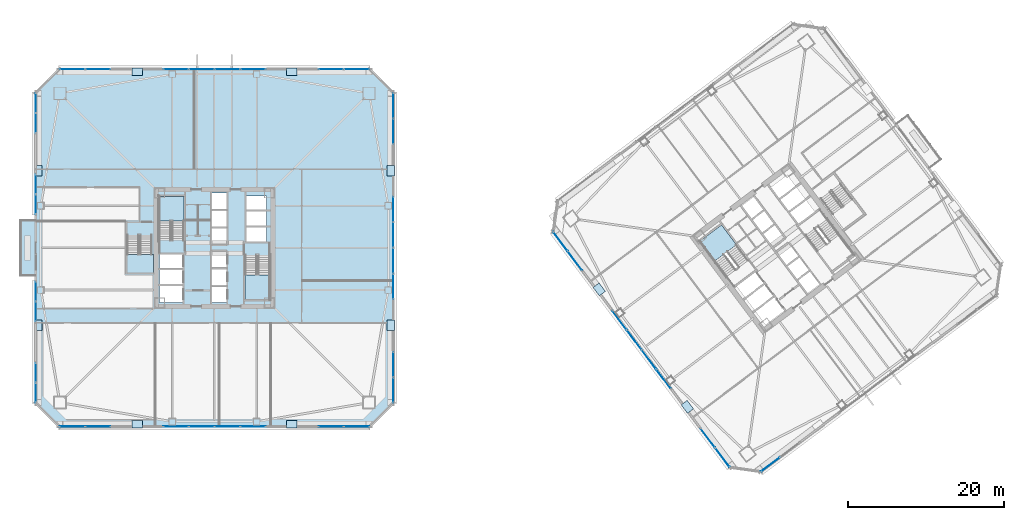
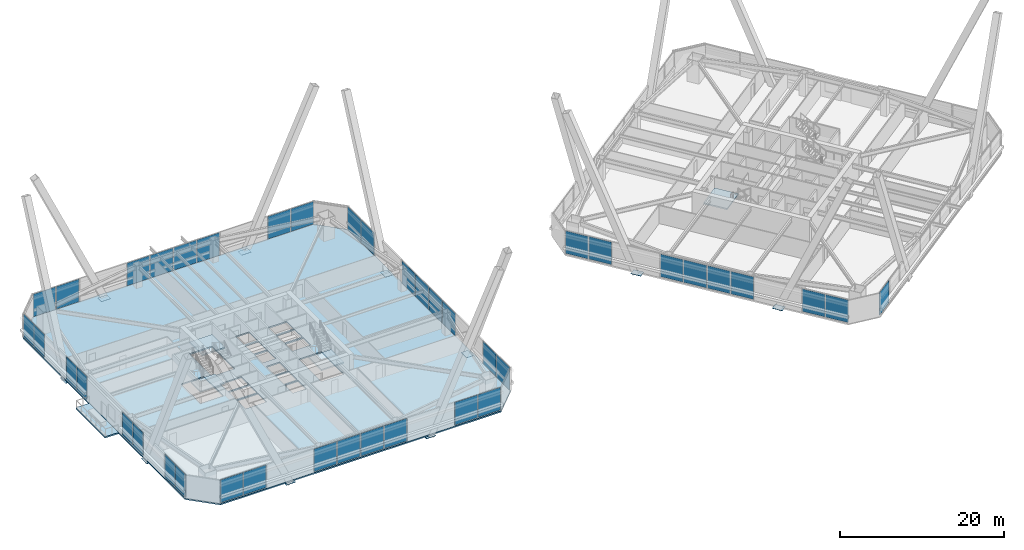
# One storey, part 60 of 75: 51 plates, 6 slabs, 21 elements without a shape of their own.
"""IFC4 building model written with IfcOpenShell, lengths in metres."""

from ifc_helpers import new_model, si_unit, direction, frame, origin, origin_2d, place, context, subcontext, project, spatial, polyline, rectangle, outline, extrude, material, layer, layer_set, type_object, element, aggregate, save


model = new_model("IFC4")

# Units and contexts
model_context = context("Model", 3, precision=1e-05, world=origin(), true_north=direction((0.0, 1.0)))
body_context = subcontext(model_context, "Body", "Model", "MODEL_VIEW")
ifc_project = project(units=[si_unit("LENGTHUNIT", "METRE"), si_unit("AREAUNIT", "SQUARE_METRE"), si_unit("VOLUMEUNIT", "CUBIC_METRE"), si_unit("PLANEANGLEUNIT", "RADIAN"), si_unit("MASSUNIT", "GRAM", prefix="KILO")], contexts=[model_context])

# Site, building, storey
site_placement = place(None, origin())
site = spatial("IfcSite", under=ifc_project, at=site_placement, CompositionType="ELEMENT")
building_placement = place(site_placement, origin())
building = spatial("IfcBuilding", under=site, at=building_placement, Name="Tashvorn Skyway Center", CompositionType="ELEMENT")
storey_placement = place(building_placement, frame((0.0, 0.0, 45.89990234375)))
storey = spatial("IfcBuildingStorey", under=building, at=storey_placement, Name="L11", CompositionType="ELEMENT", Elevation=45.89990234375)

# Curtain wall, plates
ifc_material_1 = material(Name="Thermally broken bronze-anodized aluminium 6063-T6", Category="aluminium")
curtain_wall_type = type_object("IfcCurtainWallType", Name="CW-CW-Z1", PredefinedType="NOTDEFINED", material=ifc_material_1)
curtain_wall_1_placement = place(storey_placement, origin())
curtain_wall_1 = element("IfcCurtainWall", 1, at=curtain_wall_1_placement, inside=storey, type_object=curtain_wall_type, Name="Tower 1 L11 South Unitised Curtain Wall Glazing Group 1", PredefinedType="NOTDEFINED")
ifc_material_2 = material(Name="Low-E solar-control double insulating safety glass", Category="glass")
ifc_layer_1 = layer(ifc_material_2, 0.048095703125)
ifc_layer_set_1 = layer_set([ifc_layer_1], Name="Low-E solar-control double insulating safety glass")
plate_type_1 = type_object("IfcPlateType", Name="CWP-CW-Z1", PredefinedType="CURTAIN_PANEL", material=ifc_layer_set_1)
plate_1_placement = place(storey_placement, frame((60.2021484375, 9.1201171875, 0.085205078125), z_axis=(0.0, 0.0, 1.0), x_axis=(-1.0, 0.0, 0.0)))
plate_1 = element("IfcPlate", 2, at=plate_1_placement, type_object=plate_type_1, Name="CW-Z1 panel 1.1", PredefinedType="CURTAIN_PANEL", context=body_context, shape_type="SweptSolid", body=[
    extrude(rectangle(XDim=3.185791015625, YDim=0.048095703125, at=origin_2d()), origin(), (0.0, 0.0, 1.0), 3.3798828125),
])
plate_2_placement = place(storey_placement, frame((56.93115234375, 9.1201171875, 0.085205078125), z_axis=(0.0, 0.0, 1.0), x_axis=(-1.0, 0.0, 0.0)))
plate_2 = element("IfcPlate", 3, at=plate_2_placement, type_object=plate_type_1, Name="CW-Z1 panel 2.1", PredefinedType="CURTAIN_PANEL", context=body_context, shape_type="SweptSolid", body=[
    extrude(rectangle(XDim=3.185791015625, YDim=0.048095703125, at=origin_2d()), origin(), (0.0, 0.0, 1.0), 3.3798828125),
])
aggregate(curtain_wall_1, [plate_1, plate_2])

curtain_wall_2_placement = place(storey_placement, origin())
curtain_wall_2 = element("IfcCurtainWall", 4, at=curtain_wall_2_placement, inside=storey, type_object=curtain_wall_type, Name="Tower 1 L11 South Unitised Curtain Wall Glazing Group 2", PredefinedType="NOTDEFINED")
plate_3_placement = place(storey_placement, frame((46.94873046875, 9.1201171875, 0.085205078125), z_axis=(0.0, 0.0, 1.0), x_axis=(-1.0, 0.0, 0.0)))
plate_3 = element("IfcPlate", 5, at=plate_3_placement, type_object=plate_type_1, Name="CW-Z1 panel 1.1", PredefinedType="CURTAIN_PANEL", context=body_context, shape_type="SweptSolid", body=[
    extrude(rectangle(XDim=3.185791015625, YDim=0.048095703125, at=origin_2d()), origin(), (0.0, 0.0, 1.0), 3.3798828125),
])
plate_4_placement = place(storey_placement, frame((43.65673828125, 9.1201171875, 0.085205078125), z_axis=(0.0, 0.0, 1.0), x_axis=(-1.0, 0.0, 0.0)))
plate_4 = element("IfcPlate", 6, at=plate_4_placement, type_object=plate_type_1, Name="CW-Z1 panel 2.1", PredefinedType="CURTAIN_PANEL", context=body_context, shape_type="SweptSolid", body=[
    extrude(rectangle(XDim=3.228271484375, YDim=0.048095703125, at=origin_2d()), origin(), (0.0, 0.0, 1.0), 3.3798828125),
])
plate_5_placement = place(storey_placement, frame((40.34326171875, 9.1201171875, 0.085205078125), z_axis=(0.0, 0.0, 1.0), x_axis=(-1.0, 0.0, 0.0)))
plate_5 = element("IfcPlate", 7, at=plate_5_placement, type_object=plate_type_1, Name="CW-Z1 panel 3.1", PredefinedType="CURTAIN_PANEL", context=body_context, shape_type="SweptSolid", body=[
    extrude(rectangle(XDim=3.228271484375, YDim=0.048095703125, at=origin_2d()), origin(), (0.0, 0.0, 1.0), 3.3798828125),
])
plate_6_placement = place(storey_placement, frame((37.05126953125, 9.1201171875, 0.085205078125), z_axis=(0.0, 0.0, 1.0), x_axis=(-1.0, 0.0, 0.0)))
plate_6 = element("IfcPlate", 8, at=plate_6_placement, type_object=plate_type_1, Name="CW-Z1 panel 4.1", PredefinedType="CURTAIN_PANEL", context=body_context, shape_type="SweptSolid", body=[
    extrude(rectangle(XDim=3.185791015625, YDim=0.048095703125, at=origin_2d()), origin(), (0.0, 0.0, 1.0), 3.3798828125),
])
aggregate(curtain_wall_2, [plate_3, plate_4, plate_5, plate_6])

curtain_wall_3_placement = place(storey_placement, origin())
curtain_wall_3 = element("IfcCurtainWall", 9, at=curtain_wall_3_placement, inside=storey, type_object=curtain_wall_type, Name="Tower 1 L11 South Unitised Curtain Wall Glazing Group 3", PredefinedType="NOTDEFINED")
plate_7_placement = place(storey_placement, frame((27.06884765625, 9.1201171875, 0.085205078125), z_axis=(0.0, 0.0, 1.0), x_axis=(-1.0, 0.0, 0.0)))
plate_7 = element("IfcPlate", 10, at=plate_7_placement, type_object=plate_type_1, Name="CW-Z1 panel 1.1", PredefinedType="CURTAIN_PANEL", context=body_context, shape_type="SweptSolid", body=[
    extrude(rectangle(XDim=3.185791015625, YDim=0.048095703125, at=origin_2d()), origin(), (0.0, 0.0, 1.0), 3.3798828125),
])
plate_8_placement = place(storey_placement, frame((23.7978515625, 9.1201171875, 0.085205078125), z_axis=(0.0, 0.0, 1.0), x_axis=(-1.0, 0.0, 0.0)))
plate_8 = element("IfcPlate", 11, at=plate_8_placement, type_object=plate_type_1, Name="CW-Z1 panel 2.1", PredefinedType="CURTAIN_PANEL", context=body_context, shape_type="SweptSolid", body=[
    extrude(rectangle(XDim=3.185791015625, YDim=0.048095703125, at=origin_2d()), origin(), (0.0, 0.0, 1.0), 3.3798828125),
])
aggregate(curtain_wall_3, [plate_7, plate_8])

curtain_wall_4_placement = place(storey_placement, origin())
curtain_wall_4 = element("IfcCurtainWall", 12, at=curtain_wall_4_placement, inside=storey, type_object=curtain_wall_type, Name="Tower 1 L11 West Curtain Wall L Glazing Group 1", PredefinedType="NOTDEFINED")
plate_9_placement = place(storey_placement, frame((19.1201171875, 13.44384765625, 0.085205078125), z_axis=(0.0, 0.0, 1.0), x_axis=(0.0, 1.0, 0.0)))
plate_9 = element("IfcPlate", 13, at=plate_9_placement, type_object=plate_type_1, Name="CW-Z1 panel 1.1", PredefinedType="CURTAIN_PANEL", context=body_context, shape_type="SweptSolid", body=[
    extrude(rectangle(XDim=2.4775390625, YDim=0.048095703125, at=origin_2d()), origin(), (0.0, 0.0, 1.0), 3.3798828125),
])
plate_10_placement = place(storey_placement, frame((19.1201171875, 16.00634765625, 0.085205078125), z_axis=(0.0, 0.0, 1.0), x_axis=(0.0, 1.0, 0.0)))
plate_10 = element("IfcPlate", 14, at=plate_10_placement, type_object=plate_type_1, Name="CW-Z1 panel 2.1", PredefinedType="CURTAIN_PANEL", context=body_context, shape_type="SweptSolid", body=[
    extrude(rectangle(XDim=2.4775390625, YDim=0.048095703125, at=origin_2d()), origin(), (0.0, 0.0, 1.0), 3.3798828125),
])
aggregate(curtain_wall_4, [plate_9, plate_10])

curtain_wall_5_placement = place(storey_placement, origin())
curtain_wall_5 = element("IfcCurtainWall", 15, at=curtain_wall_5_placement, inside=storey, type_object=curtain_wall_type, Name="Tower 1 L11 West Curtain Wall L Glazing Group 2", PredefinedType="NOTDEFINED")
plate_11_placement = place(storey_placement, frame((19.1201171875, 23.86376953125, 0.085205078125), z_axis=(0.0, 0.0, 1.0), x_axis=(0.0, 1.0, 0.0)))
plate_11 = element("IfcPlate", 16, at=plate_11_placement, type_object=plate_type_1, Name="CW-Z1 panel 1.1", PredefinedType="CURTAIN_PANEL", context=body_context, shape_type="SweptSolid", body=[
    extrude(rectangle(XDim=2.4775390625, YDim=0.048095703125, at=origin_2d()), origin(), (0.0, 0.0, 1.0), 3.3798828125),
])
plate_12_placement = place(storey_placement, frame((19.1201171875, 26.42626953125, 0.085205078125), z_axis=(0.0, 0.0, 1.0), x_axis=(0.0, 1.0, 0.0)))
plate_12 = element("IfcPlate", 17, at=plate_12_placement, type_object=plate_type_1, Name="CW-Z1 panel 2.1", PredefinedType="CURTAIN_PANEL", context=body_context, shape_type="SweptSolid", body=[
    extrude(rectangle(XDim=2.4775390625, YDim=0.048095703125, at=origin_2d()), origin(), (0.0, 0.0, 1.0), 3.3798828125),
])
aggregate(curtain_wall_5, [plate_11, plate_12])

curtain_wall_6_placement = place(storey_placement, origin())
curtain_wall_6 = element("IfcCurtainWall", 18, at=curtain_wall_6_placement, inside=storey, type_object=curtain_wall_type, Name="Tower 1 L11 West Curtain Wall R Glazing Group 1", PredefinedType="NOTDEFINED")
plate_13_placement = place(storey_placement, frame((19.1201171875, 37.57373046875, 0.085205078125), z_axis=(0.0, 0.0, 1.0), x_axis=(0.0, 1.0, 0.0)))
plate_13 = element("IfcPlate", 19, at=plate_13_placement, type_object=plate_type_1, Name="CW-Z1 panel 1.1", PredefinedType="CURTAIN_PANEL", context=body_context, shape_type="SweptSolid", body=[
    extrude(rectangle(XDim=2.4775390625, YDim=0.048095703125, at=origin_2d()), origin(), (0.0, 0.0, 1.0), 3.3798828125),
])
plate_14_placement = place(storey_placement, frame((19.1201171875, 40.13623046875, 0.085205078125), z_axis=(0.0, 0.0, 1.0), x_axis=(0.0, 1.0, 0.0)))
plate_14 = element("IfcPlate", 20, at=plate_14_placement, type_object=plate_type_1, Name="CW-Z1 panel 2.1", PredefinedType="CURTAIN_PANEL", context=body_context, shape_type="SweptSolid", body=[
    extrude(rectangle(XDim=2.4775390625, YDim=0.048095703125, at=origin_2d()), origin(), (0.0, 0.0, 1.0), 3.3798828125),
])
aggregate(curtain_wall_6, [plate_13, plate_14])

curtain_wall_7_placement = place(storey_placement, origin())
curtain_wall_7 = element("IfcCurtainWall", 21, at=curtain_wall_7_placement, inside=storey, type_object=curtain_wall_type, Name="Tower 1 L11 West Curtain Wall R Glazing Group 2", PredefinedType="NOTDEFINED")
plate_15_placement = place(storey_placement, frame((19.1201171875, 47.99365234375, 0.085205078125), z_axis=(0.0, 0.0, 1.0), x_axis=(0.0, 1.0, 0.0)))
plate_15 = element("IfcPlate", 22, at=plate_15_placement, type_object=plate_type_1, Name="CW-Z1 panel 1.1", PredefinedType="CURTAIN_PANEL", context=body_context, shape_type="SweptSolid", body=[
    extrude(rectangle(XDim=2.4775390625, YDim=0.048095703125, at=origin_2d()), origin(), (0.0, 0.0, 1.0), 3.3798828125),
])
plate_16_placement = place(storey_placement, frame((19.1201171875, 50.55615234375, 0.085205078125), z_axis=(0.0, 0.0, 1.0), x_axis=(0.0, 1.0, 0.0)))
plate_16 = element("IfcPlate", 23, at=plate_16_placement, type_object=plate_type_1, Name="CW-Z1 panel 2.1", PredefinedType="CURTAIN_PANEL", context=body_context, shape_type="SweptSolid", body=[
    extrude(rectangle(XDim=2.4775390625, YDim=0.048095703125, at=origin_2d()), origin(), (0.0, 0.0, 1.0), 3.3798828125),
])
aggregate(curtain_wall_7, [plate_15, plate_16])

curtain_wall_8_placement = place(storey_placement, origin())
curtain_wall_8 = element("IfcCurtainWall", 24, at=curtain_wall_8_placement, inside=storey, type_object=curtain_wall_type, Name="Tower 1 L11 North Unitised Curtain Wall Glazing Group 1", PredefinedType="NOTDEFINED")
plate_17_placement = place(storey_placement, frame((23.7978515625, 54.8798828125, 0.085205078125), z_axis=(0.0, 0.0, 1.0), x_axis=(1.0, 0.0, 0.0)))
plate_17 = element("IfcPlate", 25, at=plate_17_placement, type_object=plate_type_1, Name="CW-Z1 panel 1.1", PredefinedType="CURTAIN_PANEL", context=body_context, shape_type="SweptSolid", body=[
    extrude(rectangle(XDim=3.185791015625, YDim=0.048095703125, at=origin_2d()), origin(), (0.0, 0.0, 1.0), 3.3798828125),
])
plate_18_placement = place(storey_placement, frame((27.06884765625, 54.8798828125, 0.085205078125), z_axis=(0.0, 0.0, 1.0), x_axis=(1.0, 0.0, 0.0)))
plate_18 = element("IfcPlate", 26, at=plate_18_placement, type_object=plate_type_1, Name="CW-Z1 panel 2.1", PredefinedType="CURTAIN_PANEL", context=body_context, shape_type="SweptSolid", body=[
    extrude(rectangle(XDim=3.185791015625, YDim=0.048095703125, at=origin_2d()), origin(), (0.0, 0.0, 1.0), 3.3798828125),
])
aggregate(curtain_wall_8, [plate_17, plate_18])

curtain_wall_9_placement = place(storey_placement, origin())
curtain_wall_9 = element("IfcCurtainWall", 27, at=curtain_wall_9_placement, inside=storey, type_object=curtain_wall_type, Name="Tower 1 L11 North Unitised Curtain Wall Glazing Group 2", PredefinedType="NOTDEFINED")
plate_19_placement = place(storey_placement, frame((37.05126953125, 54.8798828125, 0.085205078125), z_axis=(0.0, 0.0, 1.0), x_axis=(1.0, 0.0, 0.0)))
plate_19 = element("IfcPlate", 28, at=plate_19_placement, type_object=plate_type_1, Name="CW-Z1 panel 1.1", PredefinedType="CURTAIN_PANEL", context=body_context, shape_type="SweptSolid", body=[
    extrude(rectangle(XDim=3.185791015625, YDim=0.048095703125, at=origin_2d()), origin(), (0.0, 0.0, 1.0), 3.3798828125),
])
plate_20_placement = place(storey_placement, frame((40.34326171875, 54.8798828125, 0.085205078125), z_axis=(0.0, 0.0, 1.0), x_axis=(1.0, 0.0, 0.0)))
plate_20 = element("IfcPlate", 29, at=plate_20_placement, type_object=plate_type_1, Name="CW-Z1 panel 2.1", PredefinedType="CURTAIN_PANEL", context=body_context, shape_type="SweptSolid", body=[
    extrude(rectangle(XDim=3.228271484375, YDim=0.048095703125, at=origin_2d()), origin(), (0.0, 0.0, 1.0), 3.3798828125),
])
plate_21_placement = place(storey_placement, frame((43.65673828125, 54.8798828125, 0.085205078125), z_axis=(0.0, 0.0, 1.0), x_axis=(1.0, 0.0, 0.0)))
plate_21 = element("IfcPlate", 30, at=plate_21_placement, type_object=plate_type_1, Name="CW-Z1 panel 3.1", PredefinedType="CURTAIN_PANEL", context=body_context, shape_type="SweptSolid", body=[
    extrude(rectangle(XDim=3.228271484375, YDim=0.048095703125, at=origin_2d()), origin(), (0.0, 0.0, 1.0), 3.3798828125),
])
plate_22_placement = place(storey_placement, frame((46.94873046875, 54.8798828125, 0.085205078125), z_axis=(0.0, 0.0, 1.0), x_axis=(1.0, 0.0, 0.0)))
plate_22 = element("IfcPlate", 31, at=plate_22_placement, type_object=plate_type_1, Name="CW-Z1 panel 4.1", PredefinedType="CURTAIN_PANEL", context=body_context, shape_type="SweptSolid", body=[
    extrude(rectangle(XDim=3.185791015625, YDim=0.048095703125, at=origin_2d()), origin(), (0.0, 0.0, 1.0), 3.3798828125),
])
aggregate(curtain_wall_9, [plate_19, plate_20, plate_21, plate_22])

curtain_wall_10_placement = place(storey_placement, origin())
curtain_wall_10 = element("IfcCurtainWall", 32, at=curtain_wall_10_placement, inside=storey, type_object=curtain_wall_type, Name="Tower 1 L11 North Unitised Curtain Wall Glazing Group 3", PredefinedType="NOTDEFINED")
plate_23_placement = place(storey_placement, frame((56.93115234375, 54.8798828125, 0.085205078125), z_axis=(0.0, 0.0, 1.0), x_axis=(1.0, 0.0, 0.0)))
plate_23 = element("IfcPlate", 33, at=plate_23_placement, type_object=plate_type_1, Name="CW-Z1 panel 1.1", PredefinedType="CURTAIN_PANEL", context=body_context, shape_type="SweptSolid", body=[
    extrude(rectangle(XDim=3.185791015625, YDim=0.048095703125, at=origin_2d()), origin(), (0.0, 0.0, 1.0), 3.3798828125),
])
plate_24_placement = place(storey_placement, frame((60.2021484375, 54.8798828125, 0.085205078125), z_axis=(0.0, 0.0, 1.0), x_axis=(1.0, 0.0, 0.0)))
plate_24 = element("IfcPlate", 34, at=plate_24_placement, type_object=plate_type_1, Name="CW-Z1 panel 2.1", PredefinedType="CURTAIN_PANEL", context=body_context, shape_type="SweptSolid", body=[
    extrude(rectangle(XDim=3.185791015625, YDim=0.048095703125, at=origin_2d()), origin(), (0.0, 0.0, 1.0), 3.3798828125),
])
aggregate(curtain_wall_10, [plate_23, plate_24])

curtain_wall_11_placement = place(storey_placement, origin())
curtain_wall_11 = element("IfcCurtainWall", 35, at=curtain_wall_11_placement, inside=storey, type_object=curtain_wall_type, Name="Tower 1 L11 East Unitised Curtain Wall Glazing Group 1", PredefinedType="NOTDEFINED")
plate_25_placement = place(storey_placement, frame((64.8798828125, 50.2021484375, 0.085205078125), z_axis=(0.0, 0.0, 1.0), x_axis=(0.0, -1.0, 0.0)))
plate_25 = element("IfcPlate", 36, at=plate_25_placement, type_object=plate_type_1, Name="CW-Z1 panel 1.1", PredefinedType="CURTAIN_PANEL", context=body_context, shape_type="SweptSolid", body=[
    extrude(rectangle(XDim=3.185791015625, YDim=0.048095703125, at=origin_2d()), origin(), (0.0, 0.0, 1.0), 3.3798828125),
])
plate_26_placement = place(storey_placement, frame((64.8798828125, 46.93115234375, 0.085205078125), z_axis=(0.0, 0.0, 1.0), x_axis=(0.0, -1.0, 0.0)))
plate_26 = element("IfcPlate", 37, at=plate_26_placement, type_object=plate_type_1, Name="CW-Z1 panel 2.1", PredefinedType="CURTAIN_PANEL", context=body_context, shape_type="SweptSolid", body=[
    extrude(rectangle(XDim=3.185791015625, YDim=0.048095703125, at=origin_2d()), origin(), (0.0, 0.0, 1.0), 3.3798828125),
])
aggregate(curtain_wall_11, [plate_25, plate_26])

curtain_wall_12_placement = place(storey_placement, origin())
curtain_wall_12 = element("IfcCurtainWall", 38, at=curtain_wall_12_placement, inside=storey, type_object=curtain_wall_type, Name="Tower 1 L11 East Unitised Curtain Wall Glazing Group 2", PredefinedType="NOTDEFINED")
plate_27_placement = place(storey_placement, frame((64.8798828125, 36.94873046875, 0.085205078125), z_axis=(0.0, 0.0, 1.0), x_axis=(0.0, -1.0, 0.0)))
plate_27 = element("IfcPlate", 39, at=plate_27_placement, type_object=plate_type_1, Name="CW-Z1 panel 1.1", PredefinedType="CURTAIN_PANEL", context=body_context, shape_type="SweptSolid", body=[
    extrude(rectangle(XDim=3.185791015625, YDim=0.048095703125, at=origin_2d()), origin(), (0.0, 0.0, 1.0), 3.3798828125),
])
plate_28_placement = place(storey_placement, frame((64.8798828125, 33.65673828125, 0.085205078125), z_axis=(0.0, 0.0, 1.0), x_axis=(0.0, -1.0, 0.0)))
plate_28 = element("IfcPlate", 40, at=plate_28_placement, type_object=plate_type_1, Name="CW-Z1 panel 2.1", PredefinedType="CURTAIN_PANEL", context=body_context, shape_type="SweptSolid", body=[
    extrude(rectangle(XDim=3.228271484375, YDim=0.048095703125, at=origin_2d()), origin(), (0.0, 0.0, 1.0), 3.3798828125),
])
plate_29_placement = place(storey_placement, frame((64.8798828125, 30.34326171875, 0.085205078125), z_axis=(0.0, 0.0, 1.0), x_axis=(0.0, -1.0, 0.0)))
plate_29 = element("IfcPlate", 41, at=plate_29_placement, type_object=plate_type_1, Name="CW-Z1 panel 3.1", PredefinedType="CURTAIN_PANEL", context=body_context, shape_type="SweptSolid", body=[
    extrude(rectangle(XDim=3.228271484375, YDim=0.048095703125, at=origin_2d()), origin(), (0.0, 0.0, 1.0), 3.3798828125),
])
plate_30_placement = place(storey_placement, frame((64.8798828125, 27.05126953125, 0.085205078125), z_axis=(0.0, 0.0, 1.0), x_axis=(0.0, -1.0, 0.0)))
plate_30 = element("IfcPlate", 42, at=plate_30_placement, type_object=plate_type_1, Name="CW-Z1 panel 4.1", PredefinedType="CURTAIN_PANEL", context=body_context, shape_type="SweptSolid", body=[
    extrude(rectangle(XDim=3.185791015625, YDim=0.048095703125, at=origin_2d()), origin(), (0.0, 0.0, 1.0), 3.3798828125),
])
aggregate(curtain_wall_12, [plate_27, plate_28, plate_29, plate_30])

curtain_wall_13_placement = place(storey_placement, origin())
curtain_wall_13 = element("IfcCurtainWall", 43, at=curtain_wall_13_placement, inside=storey, type_object=curtain_wall_type, Name="Tower 1 L11 East Unitised Curtain Wall Glazing Group 3", PredefinedType="NOTDEFINED")
plate_31_placement = place(storey_placement, frame((64.8798828125, 17.06884765625, 0.085205078125), z_axis=(0.0, 0.0, 1.0), x_axis=(0.0, -1.0, 0.0)))
plate_31 = element("IfcPlate", 44, at=plate_31_placement, type_object=plate_type_1, Name="CW-Z1 panel 1.1", PredefinedType="CURTAIN_PANEL", context=body_context, shape_type="SweptSolid", body=[
    extrude(rectangle(XDim=3.185791015625, YDim=0.048095703125, at=origin_2d()), origin(), (0.0, 0.0, 1.0), 3.3798828125),
])
plate_32_placement = place(storey_placement, frame((64.8798828125, 13.7978515625, 0.085205078125), z_axis=(0.0, 0.0, 1.0), x_axis=(0.0, -1.0, 0.0)))
plate_32 = element("IfcPlate", 45, at=plate_32_placement, type_object=plate_type_1, Name="CW-Z1 panel 2.1", PredefinedType="CURTAIN_PANEL", context=body_context, shape_type="SweptSolid", body=[
    extrude(rectangle(XDim=3.185791015625, YDim=0.048095703125, at=origin_2d()), origin(), (0.0, 0.0, 1.0), 3.3798828125),
])
aggregate(curtain_wall_13, [plate_31, plate_32])

# Curtain wall, plate
curtain_wall_14_placement = place(storey_placement, origin())
curtain_wall_14 = element("IfcCurtainWall", 46, at=curtain_wall_14_placement, inside=storey, type_object=curtain_wall_type, Name="Tower 2 L11 South Unitised Curtain Wall Glazing Group 3", PredefinedType="NOTDEFINED")
plate_33_placement = place(storey_placement, frame((113.1796875, 4.28466796875, 0.085205078125), z_axis=(0.0, 0.0, 1.0), x_axis=(-0.800001906763, -0.599997457641, 0.0)))
plate_33 = element("IfcPlate", 47, at=plate_33_placement, type_object=plate_type_1, Name="CW-Z1 panel 2.1", PredefinedType="CURTAIN_PANEL", context=body_context, shape_type="SweptSolid", body=[
    extrude(rectangle(XDim=3.019287109375, YDim=0.048095703125, at=origin_2d()), origin(), (0.0, 0.0, 1.0), 3.3798828125),
])
aggregate(curtain_wall_14, [plate_33])

# Curtain wall, plates
curtain_wall_15_placement = place(storey_placement, origin())
curtain_wall_15 = element("IfcCurtainWall", 48, at=curtain_wall_15_placement, inside=storey, type_object=curtain_wall_type, Name="Tower 2 L11 West Unitised Curtain Wall Glazing Group 1", PredefinedType="NOTDEFINED")
plate_34_placement = place(storey_placement, frame((107.02734375, 5.16357421875, 0.085205078125), z_axis=(0.0, 0.0, 1.0), x_axis=(-0.599997457641, 0.800001906763, 0.0)))
plate_34 = element("IfcPlate", 49, at=plate_34_placement, type_object=plate_type_1, Name="CW-Z1 panel 1.1", PredefinedType="CURTAIN_PANEL", context=body_context, shape_type="SweptSolid", body=[
    extrude(rectangle(XDim=3.019287109375, YDim=0.048095703125, at=origin_2d()), origin(), (0.0, 0.0, 1.0), 3.3798828125),
])
plate_35_placement = place(storey_placement, frame((105.164794921875, 7.64697265625, 0.085205078125), z_axis=(0.0, 0.0, 1.0), x_axis=(-0.599997457641, 0.800001906763, 0.0)))
plate_35 = element("IfcPlate", 50, at=plate_35_placement, type_object=plate_type_1, Name="CW-Z1 panel 2.1", PredefinedType="CURTAIN_PANEL", context=body_context, shape_type="SweptSolid", body=[
    extrude(rectangle(XDim=3.019287109375, YDim=0.048095703125, at=origin_2d()), origin(), (0.0, 0.0, 1.0), 3.3798828125),
])
aggregate(curtain_wall_15, [plate_34, plate_35])

curtain_wall_16_placement = place(storey_placement, origin())
curtain_wall_16 = element("IfcCurtainWall", 51, at=curtain_wall_16_placement, inside=storey, type_object=curtain_wall_type, Name="Tower 2 L11 West Unitised Curtain Wall Glazing Group 2", PredefinedType="NOTDEFINED")
plate_36_placement = place(storey_placement, frame((99.475341796875, 15.23291015625, 0.085205078125), z_axis=(0.0, 0.0, 1.0), x_axis=(-0.599997457641, 0.800001906763, 0.0)))
plate_36 = element("IfcPlate", 52, at=plate_36_placement, type_object=plate_type_1, Name="CW-Z1 panel 1.1", PredefinedType="CURTAIN_PANEL", context=body_context, shape_type="SweptSolid", body=[
    extrude(rectangle(XDim=3.019287109375, YDim=0.048095703125, at=origin_2d()), origin(), (0.0, 0.0, 1.0), 3.3798828125),
])
plate_37_placement = place(storey_placement, frame((97.60009765625, 17.7333984375, 0.085205078125), z_axis=(0.0, 0.0, 1.0), x_axis=(-0.599997457641, 0.800001906763, 0.0)))
plate_37 = element("IfcPlate", 53, at=plate_37_placement, type_object=plate_type_1, Name="CW-Z1 panel 2.1", PredefinedType="CURTAIN_PANEL", context=body_context, shape_type="SweptSolid", body=[
    extrude(rectangle(XDim=3.061767578125, YDim=0.048095703125, at=origin_2d()), origin(), (0.0, 0.0, 1.0), 3.3798828125),
])
plate_38_placement = place(storey_placement, frame((95.7119140625, 20.250732421875, 0.085205078125), z_axis=(0.0, 0.0, 1.0), x_axis=(-0.599997457641, 0.800001906763, 0.0)))
plate_38 = element("IfcPlate", 54, at=plate_38_placement, type_object=plate_type_1, Name="CW-Z1 panel 3.1", PredefinedType="CURTAIN_PANEL", context=body_context, shape_type="SweptSolid", body=[
    extrude(rectangle(XDim=3.061767578125, YDim=0.048095703125, at=origin_2d()), origin(), (0.0, 0.0, 1.0), 3.3798828125),
])
plate_39_placement = place(storey_placement, frame((93.836669921875, 22.7509765625, 0.085205078125), z_axis=(0.0, 0.0, 1.0), x_axis=(-0.599997457641, 0.800001906763, 0.0)))
plate_39 = element("IfcPlate", 55, at=plate_39_placement, type_object=plate_type_1, Name="CW-Z1 panel 4.1", PredefinedType="CURTAIN_PANEL", context=body_context, shape_type="SweptSolid", body=[
    extrude(rectangle(XDim=3.019287109375, YDim=0.048095703125, at=origin_2d()), origin(), (0.0, 0.0, 1.0), 3.3798828125),
])
aggregate(curtain_wall_16, [plate_36, plate_37, plate_38, plate_39])

curtain_wall_17_placement = place(storey_placement, origin())
curtain_wall_17 = element("IfcCurtainWall", 56, at=curtain_wall_17_placement, inside=storey, type_object=curtain_wall_type, Name="Tower 2 L11 West Unitised Curtain Wall Glazing Group 3", PredefinedType="NOTDEFINED")
plate_40_placement = place(storey_placement, frame((88.147216796875, 30.3369140625, 0.085205078125), z_axis=(0.0, 0.0, 1.0), x_axis=(-0.599997457641, 0.800001906763, 0.0)))
plate_40 = element("IfcPlate", 57, at=plate_40_placement, type_object=plate_type_1, Name="CW-Z1 panel 1.1", PredefinedType="CURTAIN_PANEL", context=body_context, shape_type="SweptSolid", body=[
    extrude(rectangle(XDim=3.019287109375, YDim=0.048095703125, at=origin_2d()), origin(), (0.0, 0.0, 1.0), 3.3798828125),
])
plate_41_placement = place(storey_placement, frame((86.28466796875, 32.8203125, 0.085205078125), z_axis=(0.0, 0.0, 1.0), x_axis=(-0.599997457641, 0.800001906763, 0.0)))
plate_41 = element("IfcPlate", 58, at=plate_41_placement, type_object=plate_type_1, Name="CW-Z1 panel 2.1", PredefinedType="CURTAIN_PANEL", context=body_context, shape_type="SweptSolid", body=[
    extrude(rectangle(XDim=3.019287109375, YDim=0.048095703125, at=origin_2d()), origin(), (0.0, 0.0, 1.0), 3.3798828125),
])
aggregate(curtain_wall_17, [plate_40, plate_41])

# Plates
ifc_material_3 = material(Name="Steel ASTM A572 Grade 50", Category="steel")
ifc_layer_2 = layer(ifc_material_3, 0.044921875)
ifc_layer_set_2 = layer_set([ifc_layer_2], Name="Steel ASTM A572 Grade 50")
plate_type_2 = type_object("IfcPlateType", Name="PLT-GUSSET-45", PredefinedType="USERDEFINED", material=ifc_layer_set_2)
for number, where, z_axis, x_axis, name in (
    (59, (32.10009765625, 9.419921875, -0.472412109375), (0.0, 0.0, 1.0), (1.0, 0.0, 0.0), "Tower 1 Zone 1 S Mid-Chevron Node Gusset L"),
    (60, (51.89990234375, 9.419921875, -0.472412109375), (0.0, 0.0, 1.0), (1.0, 0.0, 0.0), "Tower 1 Zone 1 S Mid-Chevron Node Gusset R"),
    (61, (64.580078125, 22.10009765625, -0.472412109375), (0.0, 0.0, 1.0), (0.0, 1.0, 0.0), "Tower 1 Zone 1 E Mid-Chevron Node Gusset L"),
    (62, (64.580078125, 41.89990234375, -0.472412109375), (0.0, 0.0, 1.0), (0.0, 1.0, 0.0), "Tower 1 Zone 1 E Mid-Chevron Node Gusset R"),
    (63, (51.89990234375, 54.580078125, -0.472412109375), (0.0, 0.0, 1.0), (-1.0, 0.0, 0.0), "Tower 1 Zone 1 N Mid-Chevron Node Gusset L"),
    (64, (32.10009765625, 54.580078125, -0.472412109375), (0.0, 0.0, 1.0), (-1.0, 0.0, 0.0), "Tower 1 Zone 1 N Mid-Chevron Node Gusset R"),
    (65, (19.419921875, 41.89990234375, -0.472412109375), (0.0, 0.0, 1.0), (0.0, -1.0, 0.0), "Tower 1 Zone 1 W Mid-Chevron Node Gusset L"),
    (66, (19.419921875, 22.10009765625, -0.472412109375), (0.0, 0.0, 1.0), (0.0, -1.0, 0.0), "Tower 1 Zone 1 W Mid-Chevron Node Gusset R"),
    (67, (91.256103515625, 26.69189453125, -0.472412109375), (0.0, 0.0, 1.0), (0.600000004945, -0.799999996291, 0.0), "Tower 2 Zone 1 W Mid-Chevron Node Gusset L"),
    (68, (102.535888671875, 11.652099609375, -0.472412109375), (0.0, 0.0, 1.0), (0.600000004945, -0.799999996291, 0.0), "Tower 2 Zone 1 W Mid-Chevron Node Gusset R"),
):
    element("IfcPlate", number, at=place(storey_placement, frame(where, z_axis=z_axis, x_axis=x_axis)), inside=storey, type_object=plate_type_2, Name=name, ObjectType="GUSSET PLATE", PredefinedType="USERDEFINED", context=body_context, shape_type="SweptSolid", body=[
        extrude(rectangle(XDim=1.35009765625, YDim=0.949951171875, at=origin_2d()), origin(), (0.0, 0.0, 1.0), 0.044921875),
    ])

# Slab
ifc_material_4 = material(Name="Concrete C40/50", Category="concrete")
ifc_layer_3 = layer(ifc_material_4, 0.199951171875)
ifc_layer_set_3 = layer_set([ifc_layer_3], Name="Concrete C40/50")
slab_type_1 = type_object("IfcSlabType", Name="SLAB-FLR-200", PredefinedType="FLOOR", material=ifc_layer_set_3)
slab_1_placement = place(storey_placement, frame((0.0, 0.0, -0.199951171875)))
element("IfcSlab", 69, at=slab_1_placement, inside=storey, type_object=slab_type_1, Name="Tower 1 L11 Composite Floor Slab", PredefinedType="FLOOR", context=body_context, shape_type="SweptSolid", body=[
    extrude(outline(polyline([(22.199951171875, 9.0), (61.800048828125, 9.0), (65.0, 12.199951171875), (65.0, 51.800048828125), (61.800048828125, 55.0), (22.199951171875, 55.0), (19.0, 51.800048828125), (19.0, 12.199951171875), (22.199951171875, 9.0)]), holes=[polyline([(38.10009765625, 33.080078125), (38.10009765625, 38.60009765625), (34.89990234375, 38.60009765625), (34.89990234375, 33.080078125), (38.10009765625, 33.080078125)]), polyline([(45.89990234375, 30.919921875), (45.89990234375, 25.39990234375), (49.10009765625, 25.39990234375), (49.10009765625, 30.919921875), (45.89990234375, 30.919921875)]), polyline([(30.800048828125, 33.52001953125), (30.800048828125, 28.800048828125), (34.0, 28.800048828125), (34.0, 33.52001953125), (30.800048828125, 33.52001953125)]), polyline([(34.949951171875, 29.35009765625), (37.949951171875, 29.35009765625), (37.949951171875, 31.199951171875), (34.949951171875, 31.199951171875), (34.949951171875, 29.35009765625)]), polyline([(34.949951171875, 27.35009765625), (37.949951171875, 27.35009765625), (37.949951171875, 29.199951171875), (34.949951171875, 29.199951171875), (34.949951171875, 27.35009765625)]), polyline([(34.949951171875, 25.0), (37.949951171875, 25.0), (37.949951171875, 27.14990234375), (34.949951171875, 27.14990234375), (34.949951171875, 25.0)]), polyline([(41.64990234375, 25.0), (43.550048828125, 25.0), (43.550048828125, 27.050048828125), (41.64990234375, 27.050048828125), (41.64990234375, 25.0)]), polyline([(41.64990234375, 27.25), (43.550048828125, 27.25), (43.550048828125, 29.300048828125), (41.64990234375, 29.300048828125), (41.64990234375, 27.25)]), polyline([(41.64990234375, 29.5), (43.550048828125, 29.5), (43.550048828125, 31.550048828125), (41.64990234375, 31.550048828125), (41.64990234375, 29.5)]), polyline([(41.64990234375, 32.449951171875), (43.550048828125, 32.449951171875), (43.550048828125, 34.5), (41.64990234375, 34.5), (41.64990234375, 32.449951171875)]), polyline([(41.64990234375, 34.699951171875), (43.550048828125, 34.699951171875), (43.550048828125, 36.75), (41.64990234375, 36.75), (41.64990234375, 34.699951171875)]), polyline([(41.64990234375, 36.949951171875), (43.550048828125, 36.949951171875), (43.550048828125, 39.0), (41.64990234375, 39.0), (41.64990234375, 36.949951171875)]), polyline([(46.050048828125, 32.800048828125), (48.64990234375, 32.800048828125), (48.64990234375, 34.64990234375), (46.050048828125, 34.64990234375), (46.050048828125, 32.800048828125)]), polyline([(46.050048828125, 34.85009765625), (48.64990234375, 34.85009765625), (48.64990234375, 36.699951171875), (46.050048828125, 36.699951171875), (46.050048828125, 34.85009765625)]), polyline([(46.050048828125, 36.89990234375), (48.64990234375, 36.89990234375), (48.64990234375, 38.64990234375), (46.050048828125, 38.64990234375), (46.050048828125, 36.89990234375)])]), origin(), (0.0, 0.0, 1.0), 0.199951171875),
])

# Stair, slab
stair_type = type_object("IfcStairType", Name="STAIR-CORE-1500", PredefinedType="HALF_TURN_STAIR", material=ifc_material_4)
stair_1_placement = place(storey_placement, origin())
stair_1 = element("IfcStair", 70, at=stair_1_placement, inside=storey, type_object=stair_type, Name="L11 Tower 1 Exit Stair 1", PredefinedType="HALF_TURN_STAIR")
ifc_layer_4 = layer(ifc_material_4, 0.199951171875)
ifc_layer_set_4 = layer_set([ifc_layer_4], Name="Concrete C40/50")
slab_type_2 = type_object("IfcSlabType", Name="SLAB-LAND-200", PredefinedType="LANDING", material=ifc_layer_set_4)
slab_2_placement = place(storey_placement, frame((0.0, 0.0, 1.5751953125)))
slab_2 = element("IfcSlab", 71, at=slab_2_placement, type_object=slab_type_2, Name="ST-T1-1 landing 1", PredefinedType="LANDING", context=body_context, shape_type="SweptSolid", body=[
    extrude(outline(polyline([(38.10009765625, 35.43994140625), (38.10009765625, 38.60009765625), (34.89990234375, 38.60009765625), (34.89990234375, 35.43994140625), (38.10009765625, 35.43994140625)])), origin(), (0.0, 0.0, 1.0), 0.199951171875),
])
aggregate(stair_1, [slab_2])

stair_2_placement = place(storey_placement, origin())
stair_2 = element("IfcStair", 72, at=stair_2_placement, inside=storey, type_object=stair_type, Name="L11 Tower 1 Exit Stair 2", PredefinedType="HALF_TURN_STAIR")
slab_3_placement = place(storey_placement, frame((0.0, 0.0, 1.5751953125)))
slab_3 = element("IfcSlab", 73, at=slab_3_placement, type_object=slab_type_2, Name="ST-T1-2 landing 1", PredefinedType="LANDING", context=body_context, shape_type="SweptSolid", body=[
    extrude(outline(polyline([(45.89990234375, 28.56005859375), (45.89990234375, 25.39990234375), (49.10009765625, 25.39990234375), (49.10009765625, 28.56005859375), (45.89990234375, 28.56005859375)])), origin(), (0.0, 0.0, 1.0), 0.199951171875),
])
aggregate(stair_2, [slab_3])

stair_3_placement = place(storey_placement, origin())
stair_3 = element("IfcStair", 74, at=stair_3_placement, inside=storey, type_object=stair_type, Name="L11 Tower 2 Exit Stair 1", PredefinedType="HALF_TURN_STAIR")
slab_4_placement = place(storey_placement, frame((0.0, 0.0, 1.5751953125)))
slab_4 = element("IfcSlab", 75, at=slab_4_placement, type_object=slab_type_2, Name="ST-T2-1 landing 1", PredefinedType="LANDING", context=body_context, shape_type="SweptSolid", body=[
    extrude(outline(polyline([(108.82080078125, 32.405517578125), (106.919921875, 34.93994140625), (104.135986328125, 32.85205078125), (106.036865234375, 30.317626953125), (108.82080078125, 32.405517578125)])), origin(), (0.0, 0.0, 1.0), 0.199951171875),
])
aggregate(stair_3, [slab_4])

stair_4_placement = place(storey_placement, origin())
stair_4 = element("IfcStair", 76, at=stair_4_placement, inside=storey, type_object=stair_type, Name="L11 Tower 1 Exit Stair 3", PredefinedType="HALF_TURN_STAIR")
slab_5_placement = place(storey_placement, frame((0.0, 0.0, 1.5751953125)))
slab_5 = element("IfcSlab", 77, at=slab_5_placement, type_object=slab_type_2, Name="ST-T1-3 landing 1", PredefinedType="LANDING", context=body_context, shape_type="SweptSolid", body=[
    extrude(outline(polyline([(30.800048828125, 31.159912109375), (30.800048828125, 28.800048828125), (34.199951171875, 28.800048828125), (34.199951171875, 31.159912109375), (30.800048828125, 31.159912109375)])), origin(), (0.0, 0.0, 1.0), 0.199951171875),
])
aggregate(stair_4, [slab_5])

# Slab
ifc_layer_5 = layer(ifc_material_4, 0.179931640625)
ifc_layer_set_5 = layer_set([ifc_layer_5], Name="Concrete C40/50")
slab_type_3 = type_object("IfcSlabType", Name="SLAB-TERR-200", PredefinedType="FLOOR", material=ifc_layer_set_5)
slab_6_placement = place(storey_placement, frame((0.0, 0.0, -0.199951171875)))
element("IfcSlab", 78, at=slab_6_placement, inside=storey, type_object=slab_type_3, Name="Tower 1 L11 Spiral Planted Terrace Slab", PredefinedType="FLOOR", context=body_context, shape_type="SweptSolid", body=[
    extrude(outline(polyline([(17.10009765625, 28.39990234375), (19.010009765625, 28.39990234375), (19.010009765625, 35.60009765625), (17.10009765625, 35.60009765625), (17.10009765625, 28.39990234375)])), origin(), (0.0, 0.0, 1.0), 0.199951171875),
])

save(model, "model.ifc")
